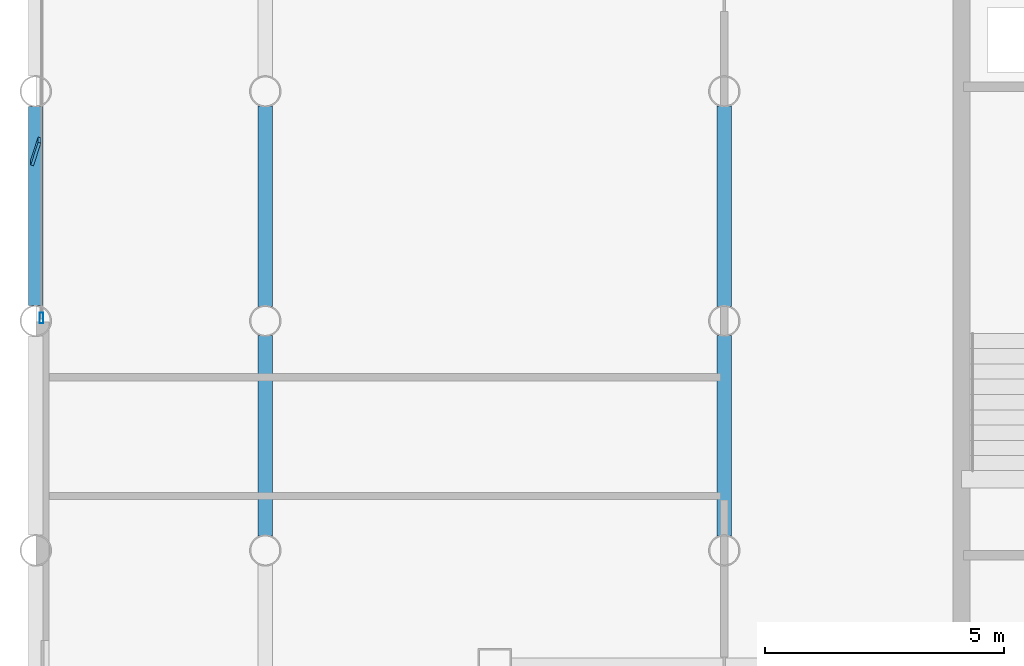
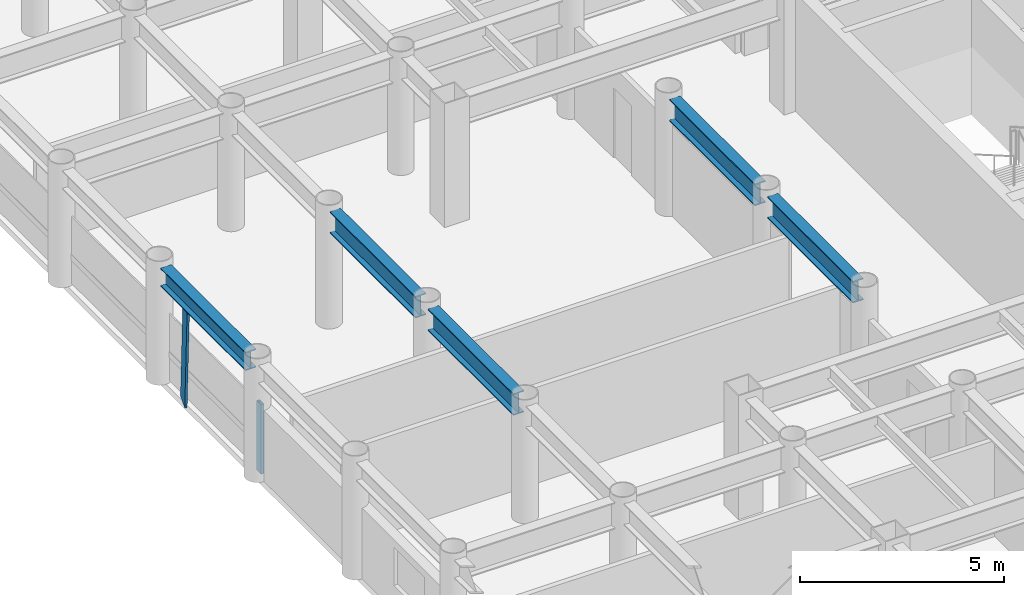
# One storey, part 4 of 19: 5 beams, 2 members, 1 element without a shape of its own.
"""IFC4 building model written with IfcOpenShell, lengths in metres."""

import ifcopenshell
import ifcopenshell.guid

model = None  # the IFC model being written
_history = None  # IfcOwnerHistory: only IFC2X3 demands one
_inside = {}  # id of a spatial element -> (the spatial element, [elements in it])
_under = {}  # id of a project, library or spatial element -> (it, [spatial elements below it])
_declared = {}  # id of a project -> (the project, [libraries it declares])
_typed = {}  # id of a type object -> (the type object, [elements of that type])
_made_of = {}  # id of a material, layer set ... -> (it, [elements and type objects made of it])


def new_model(schema):
    """Start an empty IFC model of exactly this schema.

    Asked for "IFC4X3", IfcOpenShell would pick the latest addendum, in which some entities
    have other attributes; the version numbers below select the first issue.
    IFC2X3 requires an IfcOwnerHistory on every rooted entity: one is made here for all.
    """
    global model, _history
    if schema == "IFC4X3":
        model = ifcopenshell.file(schema_version=(4, 3, 0, 0))
    else:
        model = ifcopenshell.file(schema=schema)
    _inside.clear()
    _under.clear()
    _declared.clear()
    _typed.clear()
    _made_of.clear()
    _history = None
    if model.schema == "IFC2X3":
        org = make("IfcOrganization", Name="unknown")
        user = make(
            "IfcPersonAndOrganization",
            ThePerson=make("IfcPerson", FamilyName="unknown"),
            TheOrganization=org,
        )
        app = make(
            "IfcApplication",
            ApplicationDeveloper=org,
            Version="unknown",
            ApplicationFullName="unknown",
            ApplicationIdentifier="unknown",
        )
        _history = make(
            "IfcOwnerHistory",
            OwningUser=user,
            OwningApplication=app,
            ChangeAction="ADDED",
            CreationDate=0,
        )
    return model


def make(cls, **values):
    """One entity of the class cls with the attributes given. An attribute that is None is left unset."""
    return model.create_entity(
        cls, **{name: value for name, value in values.items() if value is not None}
    )


def rooted(cls, **values):
    """An entity with a GlobalId (a new one), such as an element, a storey or a relation."""
    return make(cls, GlobalId=ifcopenshell.guid.new(), OwnerHistory=_history, **values)


def si_unit(unit_type, name, prefix=None):
    """IfcSIUnit, for example si_unit("LENGTHUNIT", "METRE", prefix="MILLI")."""
    return make("IfcSIUnit", UnitType=unit_type, Prefix=prefix, Name=name)


def assignment(units):
    """IfcUnitAssignment: the units of a project."""
    return None if units is None else make("IfcUnitAssignment", Units=units)


def point(xyz):
    """IfcCartesianPoint."""
    return None if xyz is None else make("IfcCartesianPoint", Coordinates=xyz)


def direction(xyz):
    """IfcDirection."""
    return None if xyz is None else make("IfcDirection", DirectionRatios=xyz)


def frame(location, z_axis=None, x_axis=None):
    """IfcAxis2Placement3D, a coordinate frame: its origin and axes. An axis left out is left unset."""
    return make(
        "IfcAxis2Placement3D",
        Location=point(location),
        Axis=direction(z_axis),
        RefDirection=direction(x_axis),
    )


def frame_2d(location, x_axis=None):
    """IfcAxis2Placement2D, a coordinate frame in the plane: its origin and x axis."""
    return make(
        "IfcAxis2Placement2D", Location=point(location), RefDirection=direction(x_axis)
    )


def origin():
    """The frame at (0, 0, 0) with its axes left unset."""
    return frame((0.0, 0.0, 0.0))


def origin_2d():
    """The frame at (0, 0) in the plane with its x axis left unset."""
    return frame_2d((0.0, 0.0))


def place(relative_to, where):
    """IfcLocalPlacement: puts the frame where relative to a parent placement (None: the world)."""
    return make(
        "IfcLocalPlacement", PlacementRelTo=relative_to, RelativePlacement=where
    )


def context(
    kind, dimensions, precision=None, world=None, true_north=None, identifier=None
):
    """IfcGeometricRepresentationContext, for example the 3D "Model" context."""
    return make(
        "IfcGeometricRepresentationContext",
        ContextIdentifier=identifier,
        ContextType=kind,
        CoordinateSpaceDimension=dimensions,
        Precision=precision,
        WorldCoordinateSystem=world,
        TrueNorth=true_north,
    )


def subcontext(parent, identifier, kind, view, scale=None):
    """IfcGeometricRepresentationSubContext, for example "Body" below "Model"."""
    return make(
        "IfcGeometricRepresentationSubContext",
        ContextIdentifier=identifier,
        ContextType=kind,
        ParentContext=parent,
        TargetScale=scale,
        TargetView=view,
    )


def project(units=None, contexts=None):
    """IfcProject with its units and contexts."""
    return rooted(
        "IfcProject",
        Name="project",
        RepresentationContexts=contexts,
        UnitsInContext=assignment(units),
    )


def spatial(cls, under=None, at=None, **own):
    """A site, building, storey or space (cls), placed at a placement, below another one or the project."""
    s = rooted(cls, ObjectPlacement=at, **own)
    if under is not None:
        _under.setdefault(under.id(), (under, []))[1].append(s)
    return s


def profile(cls, at=None, kind="AREA", **sizes):
    """A parametric profile (cls). Its sizes go by their IFC names, for example OverallWidth=200.0."""
    return make(cls, ProfileType=kind, Position=at, **sizes)


def rectangle(**sizes):
    """IfcRectangleProfileDef."""
    return profile("IfcRectangleProfileDef", **sizes)


def hollow_rectangle(**sizes):
    """IfcRectangleHollowProfileDef."""
    return profile("IfcRectangleHollowProfileDef", **sizes)


def i_section(**sizes):
    """IfcIShapeProfileDef."""
    return profile("IfcIShapeProfileDef", **sizes)


def extrude(swept, where, along, depth):
    """IfcExtrudedAreaSolid: the profile swept, set in the frame where, extruded along a direction by depth."""
    return make(
        "IfcExtrudedAreaSolid",
        SweptArea=swept,
        Position=where,
        ExtrudedDirection=direction(along),
        Depth=depth,
    )


def shape(context_of_items, identifier, shape_type, items):
    """IfcShapeRepresentation: the items that make up one representation, for example the "Body"."""
    return make(
        "IfcShapeRepresentation",
        ContextOfItems=context_of_items,
        RepresentationIdentifier=identifier,
        RepresentationType=shape_type,
        Items=items,
    )


def material(Name=None, Category=None):
    """IfcMaterial."""
    return make("IfcMaterial", Name=Name, Category=Category)


def layer(
    of_material, thickness, ventilated=None, Name=None, Category=None, Priority=None
):
    """IfcMaterialLayer: one layer of a wall or slab, of a material (None: an air gap)."""
    return make(
        "IfcMaterialLayer",
        Material=of_material,
        LayerThickness=thickness,
        IsVentilated=ventilated,
        Name=Name,
        Category=Category,
        Priority=Priority,
    )


def layer_set(layers, Name=None):
    """IfcMaterialLayerSet."""
    return make("IfcMaterialLayerSet", MaterialLayers=layers, LayerSetName=Name)


def material_profile(
    of_material, cross_section, Name=None, Category=None, Priority=None
):
    """IfcMaterialProfile: a cross section and its material."""
    return make(
        "IfcMaterialProfile",
        Name=Name,
        Material=of_material,
        Profile=cross_section,
        Priority=Priority,
        Category=Category,
    )


def profile_set(profiles, Name=None, composite=None):
    """IfcMaterialProfileSet."""
    return make(
        "IfcMaterialProfileSet",
        Name=Name,
        MaterialProfiles=profiles,
        CompositeProfile=composite,
    )


def made_of(thing, what):
    """Note that an element or type object is made of a material, layer set ...; save() writes the relation."""
    if what is not None:
        _made_of.setdefault(what.id(), (what, []))[1].append(thing)
    return thing


def type_object(cls, material=None, **own):
    """A type object (cls), such as IfcWallType, which elements share."""
    return made_of(rooted(cls, **own), material)


def element(
    cls,
    number,
    at=None,
    inside=None,
    cuts=None,
    type_object=None,
    material=None,
    context=None,
    identifier="Body",
    shape_type=None,
    held_by="IfcProductDefinitionShape",
    body=None,
    shapes=None,
    **own,
):
    """One element of the class cls, such as IfcWall. Its Tag is "e" and its number.

    at: its placement. inside: the storey or other place that contains it. cuts: it is an
    opening in that element (IfcRelVoidsElement). A single representation is given by context,
    identifier, shape_type and body (its items); several are given by shapes. held_by: the class
    of the entity that holds the representations. save() writes the other relations.
    """
    e = rooted(cls, Tag="e%d" % number, ObjectPlacement=at, **own)
    if body is not None:
        shapes = [shape(context, identifier, shape_type, body)]
    if shapes is not None:
        e.Representation = make(held_by, Representations=shapes)
    if inside is not None:
        _inside.setdefault(inside.id(), (inside, []))[1].append(e)
    if cuts is not None:
        rooted(
            "IfcRelVoidsElement", RelatingBuildingElement=cuts, RelatedOpeningElement=e
        )
    if type_object is not None:
        _typed.setdefault(type_object.id(), (type_object, []))[1].append(e)
    return made_of(e, material)


def aggregate(whole, parts):
    """IfcRelAggregates: a whole, such as a stair, and the parts it consists of."""
    return rooted("IfcRelAggregates", RelatingObject=whole, RelatedObjects=parts)


def save(model, path):
    """Write the relations noted so far, then the file.

    IfcRelAggregates (storeys below a building ...), IfcRelContainedInSpatialStructure (elements
    in a storey), IfcRelDefinesByType, IfcRelAssociatesMaterial and IfcRelDeclares: one each for
    every whole, place, type object, material and project.
    """
    for whole, parts in _under.values():
        aggregate(whole, parts)
    for where, things in _inside.values():
        rooted(
            "IfcRelContainedInSpatialStructure",
            RelatedElements=things,
            RelatingStructure=where,
        )
    for kind, things in _typed.values():
        rooted("IfcRelDefinesByType", RelatedObjects=things, RelatingType=kind)
    for what, things in _made_of.values():
        rooted("IfcRelAssociatesMaterial", RelatedObjects=things, RelatingMaterial=what)
    for by, libraries in _declared.values():
        rooted("IfcRelDeclares", RelatingContext=by, RelatedDefinitions=libraries)
    model.write(path)


model = new_model("IFC4")

# Units and contexts
model_context = context("Model", 3, precision=1e-05, world=origin(), true_north=direction((0.0, 1.0)))
body_context = subcontext(model_context, "Body", "Model", "MODEL_VIEW")
ifc_project = project(units=[si_unit("LENGTHUNIT", "METRE"), si_unit("AREAUNIT", "SQUARE_METRE"), si_unit("VOLUMEUNIT", "CUBIC_METRE"), si_unit("PLANEANGLEUNIT", "RADIAN"), si_unit("MASSUNIT", "GRAM", prefix="KILO")], contexts=[model_context])

# Site, building, storey
site_placement = place(None, origin())
site = spatial("IfcSite", under=ifc_project, at=site_placement, CompositionType="ELEMENT")
building_placement = place(site_placement, origin())
building = spatial("IfcBuilding", under=site, at=building_placement, Name="Kallvorn Hotel Tower", CompositionType="ELEMENT")
storey_placement = place(building_placement, frame((0.0, 0.0, 147.0)))
storey = spatial("IfcBuildingStorey", under=building, at=storey_placement, Name="L36", CompositionType="ELEMENT", Elevation=147.0)

# Beams
ifc_material_1 = material(Name="Structural steel S355JR", Category="steel")
ifc_material_profile_1 = material_profile(ifc_material_1, i_section(OverallWidth=0.300048828125, OverallDepth=0.550048828125, WebThickness=0.014892578125, FlangeThickness=0.029052734375, at=origin_2d()), Name="HE 550 B")
ifc_profile_set_1 = profile_set([ifc_material_profile_1], Name="Structural steel S355JR")
beam_type_1 = type_object("IfcBeamType", Name="BM_HE550B", PredefinedType="SPANDREL", material=ifc_profile_set_1)
beam_placement = place(storey_placement, frame((-33.60009765625, 0.320068359375, 3.2451171875), z_axis=(0.0, 1.0, 0.0), x_axis=(-1.0, 0.0, 0.0)))
element("IfcBeam", 1, at=beam_placement, inside=storey, type_object=beam_type_1, Name="L37 Perimeter Spandrel 177", PredefinedType="SPANDREL", context=body_context, shape_type="SweptSolid", body=[
    extrude(i_section(OverallWidth=0.300048828125, OverallDepth=0.550048828125, WebThickness=0.014892578125, FlangeThickness=0.029052734375, at=origin_2d()), origin(), (0.0, 0.0, 1.0), 4.159912109375),
])
ifc_material_2 = material(Name="Structural steel S355JR", Category="steel")
ifc_material_profile_2 = material_profile(ifc_material_2, i_section(OverallWidth=0.300048828125, OverallDepth=0.64990234375, WebThickness=0.01611328125, FlangeThickness=0.031005859375, at=origin_2d()), Name="HE 650 B")
ifc_profile_set_2 = profile_set([ifc_material_profile_2], Name="Structural steel S355JR")
beam_type_2 = type_object("IfcBeamType", Name="BM_HE650B", PredefinedType="BEAM", material=ifc_profile_set_2)
for number, where, z_axis, x_axis, name in (
    (2, (-28.800048828125, -4.4951171875, 3.195068359375), (0.0, 1.0, 0.0), (-1.0, 0.0, 0.0), "L37 Primary Y-Girder 76"),
    (3, (-28.800048828125, 0.304931640625, 3.195068359375), (0.0, 1.0, 0.0), (-1.0, 0.0, 0.0), "L37 Primary Y-Girder 77"),
    (4, (-19.199951171875, -4.4951171875, 3.195068359375), (0.0, 1.0, 0.0), (-1.0, 0.0, 0.0), "L37 Primary Y-Girder 92"),
    (5, (-19.199951171875, 0.304931640625, 3.195068359375), (0.0, 1.0, 0.0), (-1.0, 0.0, 0.0), "L37 Primary Y-Girder 93"),
):
    element("IfcBeam", number, at=place(storey_placement, frame(where, z_axis=z_axis, x_axis=x_axis)), inside=storey, type_object=beam_type_2, Name=name, PredefinedType="BEAM", context=body_context, shape_type="SweptSolid", body=[
        extrude(i_section(OverallWidth=0.300048828125, OverallDepth=0.64990234375, WebThickness=0.01611328125, FlangeThickness=0.031005859375, at=origin_2d()), origin(), (0.0, 0.0, 1.0), 4.190185546875),
    ])

# Curtain wall, member
ifc_material_3 = material(Name="Thermally broken black-anodised aluminium AA 6063-T6", Category="aluminium")
ifc_layer = layer(ifc_material_3, 0.2099609375)
ifc_layer_set = layer_set([ifc_layer], Name="CW_SYS_4_HOTEL_MID")
curtain_wall_type = type_object("IfcCurtainWallType", Name="CW_SYS_4_HOTEL_MID", PredefinedType="USERDEFINED", material=ifc_layer_set)
curtain_wall_placement = place(storey_placement, origin())
curtain_wall = element("IfcCurtainWall", 6, at=curtain_wall_placement, inside=storey, type_object=curtain_wall_type, Name="L36 Dark-Glass Curtain Wall CW-L36-WN", ObjectType="UNITISED CURTAIN WALL", PredefinedType="USERDEFINED")
ifc_material_4 = material(Name="Thermally broken black-anodised aluminium AA 6063-T6", Category="aluminium")
ifc_material_profile_3 = material_profile(ifc_material_4, hollow_rectangle(XDim=0.080078125, YDim=0.219970703125, WallThickness=0.0048828125, at=origin_2d()), Name="MUL 220x80")
ifc_profile_set_3 = profile_set([ifc_material_profile_3], Name="Thermally broken black-anodised aluminium AA 6063-T6")
member_type_1 = type_object("IfcMemberType", Name="CW_MULLION_220x80", PredefinedType="MULLION", material=ifc_profile_set_3)
member_1_placement = place(storey_placement, frame((-33.47998046875, 0.06005859375, 0.02001953125), z_axis=(0.0, 0.0, 1.0), x_axis=(1.0, 0.0, 0.0)))
member_1 = element("IfcMember", 7, at=member_1_placement, type_object=member_type_1, Name="CW-L36-WN Mullion 00", PredefinedType="MULLION", context=body_context, shape_type="SweptSolid", body=[
    extrude(hollow_rectangle(XDim=0.080078125, YDim=0.219970703125, WallThickness=0.0048828125, at=origin_2d()), origin(), (0.0, 0.0, 1.0), 2.080078125),
])
aggregate(curtain_wall, [member_1])

# Member
ifc_material_5 = material(Name="Thermally broken black-anodised aluminium AA 6063-T6", Category="aluminium")
ifc_material_profile_4 = material_profile(ifc_material_5, rectangle(XDim=0.06005859375, YDim=0.5, at=origin_2d()), Name="FIN 500x60")
ifc_profile_set_4 = profile_set([ifc_material_profile_4], Name="Thermally broken black-anodised aluminium AA 6063-T6")
member_type_2 = type_object("IfcMemberType", Name="MBR_SUNSHADE_FIN", PredefinedType="USERDEFINED", material=ifc_profile_set_4)
member_2_placement = place(storey_placement, frame((-33.60009765625, 3.60009765625, 0.0), z_axis=(0.0, -0.039014166709, 0.999238657577), x_axis=(0.951056516295, -0.308781726628, -0.012056040534)))
element("IfcMember", 8, at=member_2_placement, inside=storey, type_object=member_type_2, Name="L36 Angled Vertical Sunshade Fin W1", ObjectType="SUNSHADE FIN", PredefinedType="USERDEFINED", context=body_context, shape_type="SweptSolid", body=[
    extrude(rectangle(XDim=0.06005859375, YDim=0.5, at=origin_2d()), origin(), (0.0, 0.0, 1.0), 2.872314453125),
])

save(model, "model.ifc")
